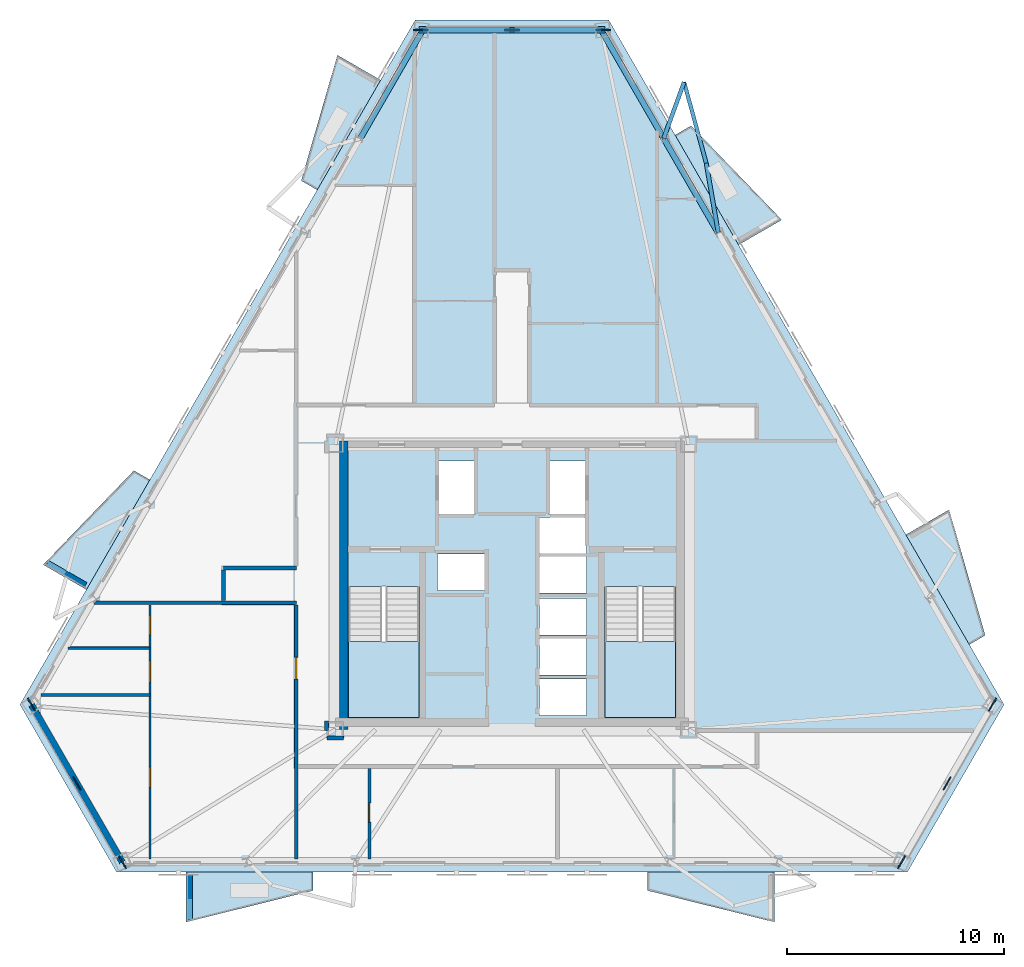
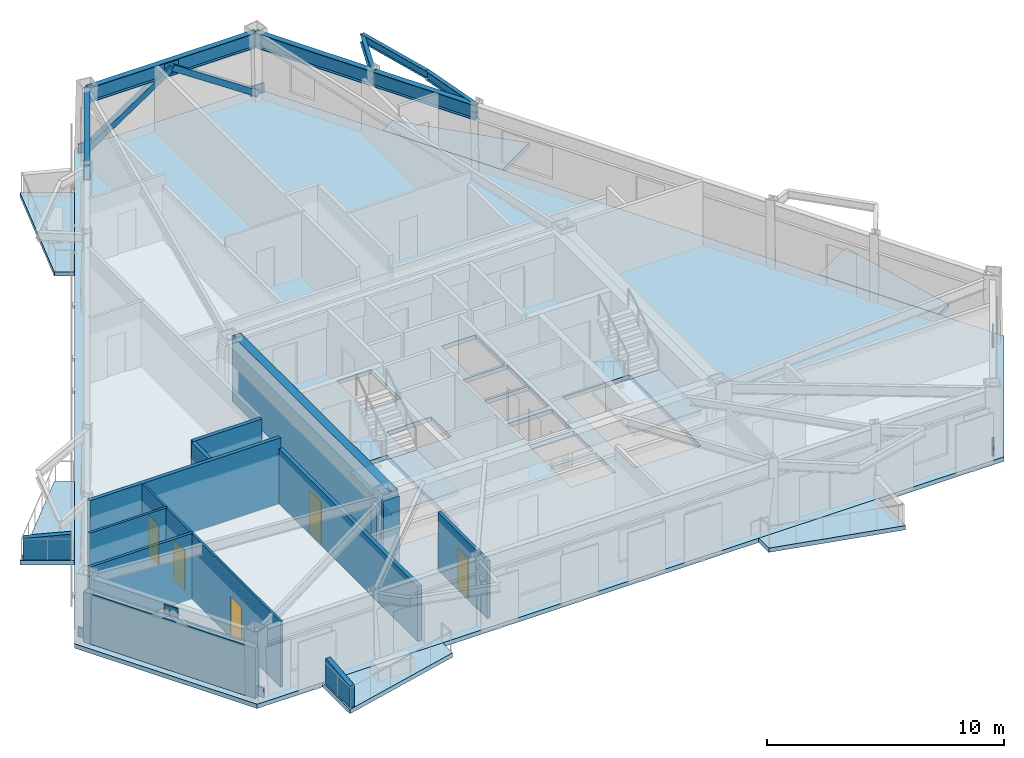
# One storey, part 2 of 9: 14 walls, 9 plates, 9 slabs, 7 beams, 5 doors, 2 members, 5 openings, 2 elements without a shape of their own.
"""IFC4 building model written with IfcOpenShell, lengths in metres."""

import ifcopenshell
import ifcopenshell.guid

model = None  # the IFC model being written
_history = None  # IfcOwnerHistory: only IFC2X3 demands one
_inside = {}  # id of a spatial element -> (the spatial element, [elements in it])
_under = {}  # id of a project, library or spatial element -> (it, [spatial elements below it])
_declared = {}  # id of a project -> (the project, [libraries it declares])
_typed = {}  # id of a type object -> (the type object, [elements of that type])
_made_of = {}  # id of a material, layer set ... -> (it, [elements and type objects made of it])


def new_model(schema):
    """Start an empty IFC model of exactly this schema.

    Asked for "IFC4X3", IfcOpenShell would pick the latest addendum, in which some entities
    have other attributes; the version numbers below select the first issue.
    IFC2X3 requires an IfcOwnerHistory on every rooted entity: one is made here for all.
    """
    global model, _history
    if schema == "IFC4X3":
        model = ifcopenshell.file(schema_version=(4, 3, 0, 0))
    else:
        model = ifcopenshell.file(schema=schema)
    _inside.clear()
    _under.clear()
    _declared.clear()
    _typed.clear()
    _made_of.clear()
    _history = None
    if model.schema == "IFC2X3":
        org = make("IfcOrganization", Name="unknown")
        user = make(
            "IfcPersonAndOrganization",
            ThePerson=make("IfcPerson", FamilyName="unknown"),
            TheOrganization=org,
        )
        app = make(
            "IfcApplication",
            ApplicationDeveloper=org,
            Version="unknown",
            ApplicationFullName="unknown",
            ApplicationIdentifier="unknown",
        )
        _history = make(
            "IfcOwnerHistory",
            OwningUser=user,
            OwningApplication=app,
            ChangeAction="ADDED",
            CreationDate=0,
        )
    return model


def make(cls, **values):
    """One entity of the class cls with the attributes given. An attribute that is None is left unset."""
    return model.create_entity(
        cls, **{name: value for name, value in values.items() if value is not None}
    )


def rooted(cls, **values):
    """An entity with a GlobalId (a new one), such as an element, a storey or a relation."""
    return make(cls, GlobalId=ifcopenshell.guid.new(), OwnerHistory=_history, **values)


def si_unit(unit_type, name, prefix=None):
    """IfcSIUnit, for example si_unit("LENGTHUNIT", "METRE", prefix="MILLI")."""
    return make("IfcSIUnit", UnitType=unit_type, Prefix=prefix, Name=name)


def assignment(units):
    """IfcUnitAssignment: the units of a project."""
    return None if units is None else make("IfcUnitAssignment", Units=units)


def point(xyz):
    """IfcCartesianPoint."""
    return None if xyz is None else make("IfcCartesianPoint", Coordinates=xyz)


def direction(xyz):
    """IfcDirection."""
    return None if xyz is None else make("IfcDirection", DirectionRatios=xyz)


def frame(location, z_axis=None, x_axis=None):
    """IfcAxis2Placement3D, a coordinate frame: its origin and axes. An axis left out is left unset."""
    return make(
        "IfcAxis2Placement3D",
        Location=point(location),
        Axis=direction(z_axis),
        RefDirection=direction(x_axis),
    )


def frame_2d(location, x_axis=None):
    """IfcAxis2Placement2D, a coordinate frame in the plane: its origin and x axis."""
    return make(
        "IfcAxis2Placement2D", Location=point(location), RefDirection=direction(x_axis)
    )


def origin():
    """The frame at (0, 0, 0) with its axes left unset."""
    return frame((0.0, 0.0, 0.0))


def origin_2d():
    """The frame at (0, 0) in the plane with its x axis left unset."""
    return frame_2d((0.0, 0.0))


def place(relative_to, where):
    """IfcLocalPlacement: puts the frame where relative to a parent placement (None: the world)."""
    return make(
        "IfcLocalPlacement", PlacementRelTo=relative_to, RelativePlacement=where
    )


def context(
    kind, dimensions, precision=None, world=None, true_north=None, identifier=None
):
    """IfcGeometricRepresentationContext, for example the 3D "Model" context."""
    return make(
        "IfcGeometricRepresentationContext",
        ContextIdentifier=identifier,
        ContextType=kind,
        CoordinateSpaceDimension=dimensions,
        Precision=precision,
        WorldCoordinateSystem=world,
        TrueNorth=true_north,
    )


def subcontext(parent, identifier, kind, view, scale=None):
    """IfcGeometricRepresentationSubContext, for example "Body" below "Model"."""
    return make(
        "IfcGeometricRepresentationSubContext",
        ContextIdentifier=identifier,
        ContextType=kind,
        ParentContext=parent,
        TargetScale=scale,
        TargetView=view,
    )


def project(units=None, contexts=None):
    """IfcProject with its units and contexts."""
    return rooted(
        "IfcProject",
        Name="project",
        RepresentationContexts=contexts,
        UnitsInContext=assignment(units),
    )


def spatial(cls, under=None, at=None, **own):
    """A site, building, storey or space (cls), placed at a placement, below another one or the project."""
    s = rooted(cls, ObjectPlacement=at, **own)
    if under is not None:
        _under.setdefault(under.id(), (under, []))[1].append(s)
    return s


def polyline(points):
    """IfcPolyline through the points."""
    return make("IfcPolyline", Points=[point(p) for p in points])


def profile(cls, at=None, kind="AREA", **sizes):
    """A parametric profile (cls). Its sizes go by their IFC names, for example OverallWidth=200.0."""
    return make(cls, ProfileType=kind, Position=at, **sizes)


def rectangle(**sizes):
    """IfcRectangleProfileDef."""
    return profile("IfcRectangleProfileDef", **sizes)


def hollow_rectangle(**sizes):
    """IfcRectangleHollowProfileDef."""
    return profile("IfcRectangleHollowProfileDef", **sizes)


def i_section(**sizes):
    """IfcIShapeProfileDef."""
    return profile("IfcIShapeProfileDef", **sizes)


def outline(outer, holes=None, kind="AREA"):
    """IfcArbitraryClosedProfileDef: a profile drawn as a closed curve; with holes, ...WithVoids."""
    if holes is None:
        return make("IfcArbitraryClosedProfileDef", ProfileType=kind, OuterCurve=outer)
    return make(
        "IfcArbitraryProfileDefWithVoids",
        ProfileType=kind,
        OuterCurve=outer,
        InnerCurves=holes,
    )


def extrude(swept, where, along, depth):
    """IfcExtrudedAreaSolid: the profile swept, set in the frame where, extruded along a direction by depth."""
    return make(
        "IfcExtrudedAreaSolid",
        SweptArea=swept,
        Position=where,
        ExtrudedDirection=direction(along),
        Depth=depth,
    )


def shape(context_of_items, identifier, shape_type, items):
    """IfcShapeRepresentation: the items that make up one representation, for example the "Body"."""
    return make(
        "IfcShapeRepresentation",
        ContextOfItems=context_of_items,
        RepresentationIdentifier=identifier,
        RepresentationType=shape_type,
        Items=items,
    )


def material(Name=None, Category=None):
    """IfcMaterial."""
    return make("IfcMaterial", Name=Name, Category=Category)


def layer(
    of_material, thickness, ventilated=None, Name=None, Category=None, Priority=None
):
    """IfcMaterialLayer: one layer of a wall or slab, of a material (None: an air gap)."""
    return make(
        "IfcMaterialLayer",
        Material=of_material,
        LayerThickness=thickness,
        IsVentilated=ventilated,
        Name=Name,
        Category=Category,
        Priority=Priority,
    )


def layer_set(layers, Name=None):
    """IfcMaterialLayerSet."""
    return make("IfcMaterialLayerSet", MaterialLayers=layers, LayerSetName=Name)


def material_profile(
    of_material, cross_section, Name=None, Category=None, Priority=None
):
    """IfcMaterialProfile: a cross section and its material."""
    return make(
        "IfcMaterialProfile",
        Name=Name,
        Material=of_material,
        Profile=cross_section,
        Priority=Priority,
        Category=Category,
    )


def profile_set(profiles, Name=None, composite=None):
    """IfcMaterialProfileSet."""
    return make(
        "IfcMaterialProfileSet",
        Name=Name,
        MaterialProfiles=profiles,
        CompositeProfile=composite,
    )


def made_of(thing, what):
    """Note that an element or type object is made of a material, layer set ...; save() writes the relation."""
    if what is not None:
        _made_of.setdefault(what.id(), (what, []))[1].append(thing)
    return thing


def type_object(cls, material=None, **own):
    """A type object (cls), such as IfcWallType, which elements share."""
    return made_of(rooted(cls, **own), material)


def element(
    cls,
    number,
    at=None,
    inside=None,
    cuts=None,
    type_object=None,
    material=None,
    context=None,
    identifier="Body",
    shape_type=None,
    held_by="IfcProductDefinitionShape",
    body=None,
    shapes=None,
    **own,
):
    """One element of the class cls, such as IfcWall. Its Tag is "e" and its number.

    at: its placement. inside: the storey or other place that contains it. cuts: it is an
    opening in that element (IfcRelVoidsElement). A single representation is given by context,
    identifier, shape_type and body (its items); several are given by shapes. held_by: the class
    of the entity that holds the representations. save() writes the other relations.
    """
    e = rooted(cls, Tag="e%d" % number, ObjectPlacement=at, **own)
    if body is not None:
        shapes = [shape(context, identifier, shape_type, body)]
    if shapes is not None:
        e.Representation = make(held_by, Representations=shapes)
    if inside is not None:
        _inside.setdefault(inside.id(), (inside, []))[1].append(e)
    if cuts is not None:
        rooted(
            "IfcRelVoidsElement", RelatingBuildingElement=cuts, RelatedOpeningElement=e
        )
    if type_object is not None:
        _typed.setdefault(type_object.id(), (type_object, []))[1].append(e)
    return made_of(e, material)


def fill(opening, filler):
    """IfcRelFillsElement: the door or window that sits in an opening."""
    return rooted(
        "IfcRelFillsElement",
        RelatingOpeningElement=opening,
        RelatedBuildingElement=filler,
    )


def aggregate(whole, parts):
    """IfcRelAggregates: a whole, such as a stair, and the parts it consists of."""
    return rooted("IfcRelAggregates", RelatingObject=whole, RelatedObjects=parts)


def save(model, path):
    """Write the relations noted so far, then the file.

    IfcRelAggregates (storeys below a building ...), IfcRelContainedInSpatialStructure (elements
    in a storey), IfcRelDefinesByType, IfcRelAssociatesMaterial and IfcRelDeclares: one each for
    every whole, place, type object, material and project.
    """
    for whole, parts in _under.values():
        aggregate(whole, parts)
    for where, things in _inside.values():
        rooted(
            "IfcRelContainedInSpatialStructure",
            RelatedElements=things,
            RelatingStructure=where,
        )
    for kind, things in _typed.values():
        rooted("IfcRelDefinesByType", RelatedObjects=things, RelatingType=kind)
    for what, things in _made_of.values():
        rooted("IfcRelAssociatesMaterial", RelatedObjects=things, RelatingMaterial=what)
    for by, libraries in _declared.values():
        rooted("IfcRelDeclares", RelatingContext=by, RelatedDefinitions=libraries)
    model.write(path)


model = new_model("IFC4")

# Units and contexts
model_context = context("Model", 3, precision=1e-05, world=origin(), true_north=direction((0.0, 1.0)))
body_context = subcontext(model_context, "Body", "Model", "MODEL_VIEW")
ifc_project = project(units=[si_unit("LENGTHUNIT", "METRE"), si_unit("AREAUNIT", "SQUARE_METRE"), si_unit("VOLUMEUNIT", "CUBIC_METRE"), si_unit("PLANEANGLEUNIT", "RADIAN"), si_unit("MASSUNIT", "GRAM", prefix="KILO")], contexts=[model_context])

# Site, building, storey
site_placement = place(None, origin())
site = spatial("IfcSite", under=ifc_project, at=site_placement, CompositionType="ELEMENT")
building_placement = place(site_placement, origin())
building = spatial("IfcBuilding", under=site, at=building_placement, Name="Oramaril Tower", CompositionType="ELEMENT")
storey_placement = place(building_placement, frame((0.0, 0.0, 174.60009765625)))
storey = spatial("IfcBuildingStorey", under=building, at=storey_placement, Name="L46", CompositionType="ELEMENT", Elevation=174.60009765625)

# Beams
ifc_material_1 = material(Name="Steel ASTM A572 Gr 50", Category="steel")
ifc_material_profile_1 = material_profile(ifc_material_1, i_section(OverallWidth=0.19091796875, OverallDepth=0.45703125, WebThickness=0.009033203125, FlangeThickness=0.014404296875, at=origin_2d()), Name="W18X50")
ifc_profile_set_1 = profile_set([ifc_material_profile_1], Name="Steel ASTM A572 Gr 50")
beam_type_1 = type_object("IfcBeamType", Name="BT-BB1", PredefinedType="BEAM", material=ifc_profile_set_1)
beam_1_placement = place(storey_placement, frame((47.01513671875, 33.905517578125, 3.1513671875), z_axis=(-0.170224706801, 0.985405271548, 0.0), x_axis=(-0.985405271548, -0.170224706801, 0.0)))
element("IfcBeam", 1, at=beam_1_placement, inside=storey, type_object=beam_type_1, Name="L46 Balcony Column-Framed Cantilever 04.1", PredefinedType="BEAM", context=body_context, shape_type="SweptSolid", body=[
    extrude(i_section(OverallWidth=0.19091796875, OverallDepth=0.45703125, WebThickness=0.009033203125, FlangeThickness=0.014404296875, at=origin_2d()), origin(), (0.0, 0.0, 1.0), 3.26708984375),
])
beam_2_placement = place(storey_placement, frame((44.495849609375, 38.269287109375, 3.1513671875), z_axis=(0.341358605617, 0.939933137181, 0.0), x_axis=(-0.939933137181, 0.341358605617, 0.0)))
element("IfcBeam", 2, at=beam_2_placement, inside=storey, type_object=beam_type_1, Name="L46 Balcony Column-Framed Cantilever 04.2", PredefinedType="BEAM", context=body_context, shape_type="SweptSolid", body=[
    extrude(i_section(OverallWidth=0.19091796875, OverallDepth=0.45703125, WebThickness=0.009033203125, FlangeThickness=0.014404296875, at=origin_2d()), origin(), (0.0, 0.0, 1.0), 2.75341796875),
])
ifc_material_2 = material(Name="Steel ASTM A572 Gr 50", Category="steel")
ifc_material_profile_2 = material_profile(ifc_material_2, i_section(OverallWidth=0.177978515625, OverallDepth=0.404052734375, WebThickness=0.007568359375, FlangeThickness=0.010986328125, at=origin_2d()), Name="W16X36")
ifc_profile_set_2 = profile_set([ifc_material_profile_2], Name="Steel ASTM A572 Gr 50")
beam_type_2 = type_object("IfcBeamType", Name="BT-SB1", PredefinedType="BEAM", material=ifc_profile_set_2)
beam_3_placement = place(storey_placement, frame((46.458984375, 37.125, 3.177978515625), z_axis=(-0.264382243015, 0.964417974521, 0.0), x_axis=(-0.964417974521, -0.264382243015, 0.0)))
element("IfcBeam", 3, at=beam_3_placement, inside=storey, type_object=beam_type_2, Name="L46 Balcony Edge Tie Beam 04", PredefinedType="BEAM", context=body_context, shape_type="SweptSolid", body=[
    extrude(i_section(OverallWidth=0.177978515625, OverallDepth=0.404052734375, WebThickness=0.007568359375, FlangeThickness=0.010986328125, at=origin_2d()), origin(), (0.0, 0.0, 1.0), 3.8701171875),
])
ifc_material_3 = material(Name="Steel ASTM A572 Gr 50", Category="steel")
ifc_material_profile_3 = material_profile(ifc_material_3, i_section(OverallWidth=0.26708984375, OverallDepth=0.77001953125, WebThickness=0.015625, FlangeThickness=0.025390625, at=origin_2d()), Name="W30X132")
ifc_profile_set_3 = profile_set([ifc_material_profile_3], Name="Steel ASTM A572 Gr 50")
beam_type_3 = type_object("IfcBeamType", Name="BT-SP3", PredefinedType="SPANDREL", material=ifc_profile_set_3)
beam_4_placement = place(storey_placement, frame((47.01513671875, 33.905517578125, 2.994873046875), z_axis=(-0.499979696703, 0.866037125581, 0.0), x_axis=(-0.866037125581, -0.499979696703, 0.0)))
element("IfcBeam", 4, at=beam_4_placement, inside=storey, type_object=beam_type_3, Name="L46 Perimeter Spandrel 11", PredefinedType="SPANDREL", context=body_context, shape_type="SweptSolid", body=[
    extrude(i_section(OverallWidth=0.26708984375, OverallDepth=0.77001953125, WebThickness=0.015625, FlangeThickness=0.025390625, at=origin_2d()), origin(), (0.0, 0.0, 1.0), 5.038818359375),
])
beam_5_placement = place(storey_placement, frame((44.495849609375, 38.269287109375, 2.994873046875), z_axis=(-0.499996461177, 0.866027446915, 0.0), x_axis=(-0.866027446915, -0.499996461177, 0.0)))
element("IfcBeam", 5, at=beam_5_placement, inside=storey, type_object=beam_type_3, Name="L46 Perimeter Spandrel 12", PredefinedType="SPANDREL", context=body_context, shape_type="SweptSolid", body=[
    extrude(i_section(OverallWidth=0.26708984375, OverallDepth=0.77001953125, WebThickness=0.015625, FlangeThickness=0.025390625, at=origin_2d()), origin(), (0.0, 0.0, 1.0), 5.7587890625),
])
beam_6_placement = place(storey_placement, frame((41.616455078125, 43.256591796875, 2.994873046875), z_axis=(-1.0, 0.0, 0.0), x_axis=(0.0, -1.0, 0.0)))
element("IfcBeam", 6, at=beam_6_placement, inside=storey, type_object=beam_type_3, Name="L46 Perimeter Spandrel 13", PredefinedType="SPANDREL", context=body_context, shape_type="SweptSolid", body=[
    extrude(i_section(OverallWidth=0.26708984375, OverallDepth=0.77001953125, WebThickness=0.015625, FlangeThickness=0.025390625, at=origin_2d()), origin(), (0.0, 0.0, 1.0), 8.23291015625),
])
beam_7_placement = place(storey_placement, frame((33.383544921875, 43.256591796875, 2.994873046875), z_axis=(-0.499996461177, -0.866027446915, 0.0), x_axis=(0.866027446915, -0.499996461177, 0.0)))
element("IfcBeam", 7, at=beam_7_placement, inside=storey, type_object=beam_type_3, Name="L46 Perimeter Spandrel 14", PredefinedType="SPANDREL", context=body_context, shape_type="SweptSolid", body=[
    extrude(i_section(OverallWidth=0.26708984375, OverallDepth=0.77001953125, WebThickness=0.015625, FlangeThickness=0.025390625, at=origin_2d()), origin(), (0.0, 0.0, 1.0), 5.7587890625),
])

# Members
ifc_material_4 = material(Name="Steel ASTM A572 Gr 50", Category="steel")
ifc_material_profile_4 = material_profile(ifc_material_4, hollow_rectangle(XDim=0.300048828125, YDim=0.300048828125, WallThickness=0.01611328125, at=origin_2d()), Name="HSS300X300X16")
ifc_profile_set_4 = profile_set([ifc_material_profile_4], Name="Steel ASTM A572 Gr 50")
member_type = type_object("IfcMemberType", Name="MT-KB2", PredefinedType="BRACE", material=ifc_profile_set_4)
for number, where, z_axis, x_axis, name in (
    (8, (41.695068359375, 43.26611328125, 0.179931640625), (-0.83038116505, 0.0, 0.557195765176), (0.0, -1.0, 0.0), "L46 Perimeter Chevron Brace KB-3A"),
    (9, (33.304931640625, 43.26611328125, 0.179931640625), (0.83038116505, 0.0, 0.557195765176), (0.0, 1.0, 0.0), "L46 Perimeter Chevron Brace KB-3B"),
):
    element("IfcMember", number, at=place(storey_placement, frame(where, z_axis=z_axis, x_axis=x_axis)), inside=storey, type_object=member_type, Name=name, PredefinedType="BRACE", context=body_context, shape_type="SweptSolid", body=[
        extrude(hollow_rectangle(XDim=0.300048828125, YDim=0.300048828125, WallThickness=0.01611328125, at=origin_2d()), origin(), (0.0, 0.0, 1.0), 5.052001953125),
    ])

# Plates
ifc_material_5 = material(Name="Steel ASTM A572 Gr 50", Category="steel")
ifc_layer_1 = layer(ifc_material_5, 0.06005859375)
ifc_layer_set_1 = layer_set([ifc_layer_1], Name="PLT-G60")
plate_type = type_object("IfcPlateType", Name="PLT-G60", PredefinedType="USERDEFINED", material=ifc_layer_set_1)
for number, where, z_axis, x_axis, name in (
    (10, (17.437744140625, 8.51708984375, 2.7548828125), (0.0, 0.0, 1.0), (0.499996976998, -0.866027149108, 0.0), "L46 Chevron Brace Gusset Plate BN-1"),
    (11, (15.340087890625, 12.14990234375, 0.099853515625), (0.0, 0.0, 1.0), (0.499996976998, -0.866027149108, 0.0), "L46 Chevron Brace Gusset Plate BN-1"),
    (12, (19.53515625, 4.884033203125, 0.099853515625), (0.0, 0.0, 1.0), (0.499996976998, -0.866027149108, 0.0), "L46 Chevron Brace Gusset Plate BN-1"),
    (13, (57.562255859375, 8.51708984375, 2.7548828125), (0.0, 0.0, 1.0), (0.499996976998, 0.866027149108, 0.0), "L46 Chevron Brace Gusset Plate BN-1"),
    (14, (55.46484375, 4.884033203125, 0.099853515625), (0.0, 0.0, 1.0), (0.499996976998, 0.866027149108, 0.0), "L46 Chevron Brace Gusset Plate BN-1"),
    (15, (59.659912109375, 12.14990234375, 0.099853515625), (0.0, 0.0, 1.0), (0.499996976998, 0.866027149108, 0.0), "L46 Chevron Brace Gusset Plate BN-1"),
    (16, (37.5, 43.26611328125, 2.7548828125), (0.0, 0.0, 1.0), (-1.0, 0.0, 0.0), "L46 Chevron Brace Gusset Plate BN-1"),
    (17, (41.695068359375, 43.26611328125, 0.099853515625), (0.0, 0.0, 1.0), (-1.0, 0.0, 0.0), "L46 Chevron Brace Gusset Plate BN-1"),
    (18, (33.304931640625, 43.26611328125, 0.099853515625), (0.0, 0.0, 1.0), (-1.0, 0.0, 0.0), "L46 Chevron Brace Gusset Plate BN-1"),
):
    element("IfcPlate", number, at=place(storey_placement, frame(where, z_axis=z_axis, x_axis=x_axis)), inside=storey, type_object=plate_type, Name=name, ObjectType="GUSSET", PredefinedType="USERDEFINED", context=body_context, shape_type="SweptSolid", body=[
        extrude(rectangle(XDim=0.679931640625, YDim=0.06005859375, at=origin_2d()), origin(), (0.0, 0.0, 1.0), 0.47998046875),
    ])

# Slabs
ifc_material_6 = material(Name="Concrete C40/50", Category="concrete")
ifc_layer_2 = layer(ifc_material_6, 0.199951171875)
ifc_layer_set_2 = layer_set([ifc_layer_2], Name="SLT-BAL20")
slab_type_1 = type_object("IfcSlabType", Name="SLT-BAL20", PredefinedType="FLOOR", material=ifc_layer_set_2)
slab_1_placement = place(storey_placement, frame((0.0, 0.0, -0.22021484375)))
element("IfcSlab", 19, at=slab_1_placement, inside=storey, type_object=slab_type_1, Name="L46 Cantilevered Balcony Slab L46-BAL-S2", PredefinedType="FLOOR", context=body_context, shape_type="SweptSolid", body=[
    extrude(outline(polyline([(43.75537109375, 4.426025390625), (49.60546875, 4.426025390625), (49.60546875, 2.1240234375), (43.75537109375, 3.573974609375), (43.75537109375, 4.426025390625)])), origin(), (0.0, 0.0, 1.0), 0.22021484375),
])
slab_2_placement = place(storey_placement, frame((0.0, 0.0, -0.22021484375)))
element("IfcSlab", 20, at=slab_2_placement, inside=storey, type_object=slab_type_1, Name="L46 Cantilevered Balcony Slab L46-BAL-NE1", PredefinedType="FLOOR", context=body_context, shape_type="SweptSolid", body=[
    extrude(outline(polyline([(58.58935546875, 14.92041015625), (55.664306640625, 19.986572265625), (57.657958984375, 21.137451171875), (59.3271484375, 15.34619140625), (58.58935546875, 14.92041015625)])), origin(), (0.0, 0.0, 1.0), 0.22021484375),
])
slab_3_placement = place(storey_placement, frame((0.0, 0.0, -0.22021484375)))
element("IfcSlab", 21, at=slab_3_placement, inside=storey, type_object=slab_type_1, Name="L46 Cantilevered Balcony Slab L46-BAL-NW2", PredefinedType="FLOOR", context=body_context, shape_type="SweptSolid", body=[
    extrude(outline(polyline([(20.798095703125, 22.519775390625), (17.873291015625, 17.453369140625), (15.879638671875, 18.6044921875), (20.060302734375, 22.94580078125), (20.798095703125, 22.519775390625)])), origin(), (0.0, 0.0, 1.0), 0.22021484375),
])
ifc_material_7 = material(Name="Concrete C50/60", Category="concrete")
ifc_layer_3 = layer(ifc_material_7, 0.219970703125)
ifc_layer_set_3 = layer_set([ifc_layer_3], Name="SLT-FLR22")
slab_type_2 = type_object("IfcSlabType", Name="SLT-FLR22", PredefinedType="FLOOR", material=ifc_layer_set_3)
slab_4_placement = place(storey_placement, frame((0.0, 0.0, -0.22021484375)))
element("IfcSlab", 22, at=slab_4_placement, inside=storey, type_object=slab_type_2, Name="L46 Structural Floor Slab", PredefinedType="FLOOR", context=body_context, shape_type="SweptSolid", body=[
    extrude(outline(polyline([(14.80908203125, 12.14990234375), (19.26953125, 4.424072265625), (55.73046875, 4.424072265625), (60.19091796875, 12.14990234375), (41.960693359375, 43.72607421875), (33.039306640625, 43.72607421875), (14.80908203125, 12.14990234375)]), holes=[polyline([(29.949951171875, 17.58935546875), (29.949951171875, 11.550048828125), (33.219970703125, 11.550048828125), (33.219970703125, 17.58935546875), (29.949951171875, 17.58935546875)]), polyline([(41.780029296875, 17.58935546875), (41.780029296875, 11.550048828125), (45.050048828125, 11.550048828125), (45.050048828125, 17.58935546875), (41.780029296875, 17.58935546875)]), polyline([(34.110107421875, 20.909912109375), (35.7900390625, 20.909912109375), (35.7900390625, 23.389892578125), (34.110107421875, 23.389892578125), (34.110107421875, 20.909912109375)]), polyline([(39.2099609375, 20.909912109375), (40.889892578125, 20.909912109375), (40.889892578125, 23.389892578125), (39.2099609375, 23.389892578125), (39.2099609375, 20.909912109375)]), polyline([(38.760009765625, 11.659912109375), (40.93994140625, 11.659912109375), (40.93994140625, 13.340087890625), (38.760009765625, 13.340087890625), (38.760009765625, 11.659912109375)]), polyline([(38.760009765625, 13.510009765625), (40.93994140625, 13.510009765625), (40.93994140625, 15.18994140625), (38.760009765625, 15.18994140625), (38.760009765625, 13.510009765625)]), polyline([(38.760009765625, 15.360107421875), (40.93994140625, 15.360107421875), (40.93994140625, 17.0400390625), (38.760009765625, 17.0400390625), (38.760009765625, 15.360107421875)]), polyline([(34.06005859375, 17.409912109375), (36.239990234375, 17.409912109375), (36.239990234375, 19.090087890625), (34.06005859375, 19.090087890625), (34.06005859375, 17.409912109375)]), polyline([(38.760009765625, 17.31005859375), (40.93994140625, 17.31005859375), (40.93994140625, 18.989990234375), (38.760009765625, 18.989990234375), (38.760009765625, 17.31005859375)]), polyline([(38.760009765625, 19.110107421875), (40.93994140625, 19.110107421875), (40.93994140625, 20.7900390625), (38.760009765625, 20.7900390625), (38.760009765625, 19.110107421875)])]), origin(), (0.0, 0.0, 1.0), 0.22021484375),
])

# Stair, slab
ifc_material_8 = material(Name="Concrete C50/60", Category="concrete")
stair_type = type_object("IfcStairType", Name="STT-DG-3600", PredefinedType="HALF_TURN_STAIR", material=ifc_material_8)
stair_1_placement = place(storey_placement, origin())
stair_1 = element("IfcStair", 23, at=stair_1_placement, inside=storey, type_object=stair_type, Name="L46 Protected PFP Exit Stair ST-1", PredefinedType="HALF_TURN_STAIR")
ifc_material_9 = material(Name="Concrete C50/60", Category="concrete")
ifc_layer_4 = layer(ifc_material_9, 0.199951171875)
ifc_layer_set_4 = layer_set([ifc_layer_4], Name="SLT-LND20")
slab_type_3 = type_object("IfcSlabType", Name="SLT-LND20", PredefinedType="LANDING", material=ifc_layer_set_4)
slab_5_placement = place(storey_placement, frame((0.0, 0.0, 1.599853515625)))
slab_5 = element("IfcSlab", 24, at=slab_5_placement, type_object=slab_type_3, Name="ST-1 landing 1", PredefinedType="LANDING", context=body_context, shape_type="SweptSolid", body=[
    extrude(outline(polyline([(29.949951171875, 15.070068359375), (29.949951171875, 11.550048828125), (33.219970703125, 11.550048828125), (33.219970703125, 15.070068359375), (29.949951171875, 15.070068359375)])), origin(), (0.0, 0.0, 1.0), 0.199951171875),
])
aggregate(stair_1, [slab_5])

stair_2_placement = place(storey_placement, origin())
stair_2 = element("IfcStair", 25, at=stair_2_placement, inside=storey, type_object=stair_type, Name="L46 Protected PFP Exit Stair ST-2", PredefinedType="HALF_TURN_STAIR")
slab_6_placement = place(storey_placement, frame((0.0, 0.0, 1.599853515625)))
slab_6 = element("IfcSlab", 26, at=slab_6_placement, type_object=slab_type_3, Name="ST-2 landing 1", PredefinedType="LANDING", context=body_context, shape_type="SweptSolid", body=[
    extrude(outline(polyline([(41.780029296875, 15.070068359375), (41.780029296875, 11.550048828125), (45.050048828125, 11.550048828125), (45.050048828125, 15.070068359375), (41.780029296875, 15.070068359375)])), origin(), (0.0, 0.0, 1.0), 0.199951171875),
])
aggregate(stair_2, [slab_6])

# Slabs
ifc_material_10 = material(Name="Concrete C40/50", Category="concrete")
ifc_layer_5 = layer(ifc_material_10, 0.18994140625)
ifc_layer_set_5 = layer_set([ifc_layer_5], Name="SLT-PLN19")
slab_type_4 = type_object("IfcSlabType", Name="SLT-PLN19", PredefinedType="FLOOR", material=ifc_layer_set_5)
slab_7_placement = place(storey_placement, frame((0.0, 0.0, -0.22021484375)))
element("IfcSlab", 27, at=slab_7_placement, inside=storey, type_object=slab_type_4, Name="L46 Tree Planter Balcony Slab L46-BAL-S1", PredefinedType="FLOOR", context=body_context, shape_type="SweptSolid", body=[
    extrude(outline(polyline([(22.469482421875, 4.426025390625), (28.319580078125, 4.426025390625), (28.319580078125, 3.573974609375), (22.469482421875, 2.1240234375), (22.469482421875, 4.426025390625)])), origin(), (0.0, 0.0, 1.0), 0.22021484375),
])
slab_8_placement = place(storey_placement, frame((0.0, 0.0, -0.22021484375)))
element("IfcSlab", 28, at=slab_8_placement, inside=storey, type_object=slab_type_4, Name="L46 Tree Planter Balcony Slab L46-BAL-NE2", PredefinedType="FLOOR", context=body_context, shape_type="SweptSolid", body=[
    extrude(outline(polyline([(47.9462890625, 33.354248046875), (45.021484375, 38.420654296875), (45.75927734375, 38.8466796875), (49.93994140625, 34.50537109375), (47.9462890625, 33.354248046875)])), origin(), (0.0, 0.0, 1.0), 0.22021484375),
])
slab_9_placement = place(storey_placement, frame((0.0, 0.0, -0.22021484375)))
element("IfcSlab", 29, at=slab_9_placement, inside=storey, type_object=slab_type_4, Name="L46 Tree Planter Balcony Slab L46-BAL-NW1", PredefinedType="FLOOR", context=body_context, shape_type="SweptSolid", body=[
    extrude(outline(polyline([(31.441162109375, 40.95361328125), (28.51611328125, 35.887451171875), (27.7783203125, 36.3134765625), (29.447509765625, 42.104736328125), (31.441162109375, 40.95361328125)])), origin(), (0.0, 0.0, 1.0), 0.22021484375),
])

# Walls
ifc_material_11 = material(Name="Warm Cream Limestone", Category="masonry")
ifc_layer_6 = layer(ifc_material_11, 0.2900390625)
ifc_layer_set_6 = layer_set([ifc_layer_6], Name="WT-EXT29")
wall_type_1 = type_object("IfcWallType", Name="WT-EXT29", PredefinedType="SOLIDWALL", material=ifc_layer_set_6)
wall_1_placement = place(storey_placement, frame((15.340087890625, 12.14990234375, 0.0), z_axis=(0.0, 0.0, 1.0), x_axis=(0.500010445942, -0.866019372733, 0.0)))
element("IfcWall", 30, at=wall_1_placement, inside=storey, type_object=wall_type_1, Name="L46 Tower Limestone Facade Wall 1M", PredefinedType="SOLIDWALL", context=body_context, shape_type="SweptSolid", body=[
    extrude(rectangle(XDim=8.389892578125, YDim=0.2900390625, at=frame_2d((4.19482421875, 0.0))), origin(), (0.0, 0.0, 1.0), 2.599853515625),
])
ifc_material_12 = material(Name="Concrete C40/50", Category="concrete")
ifc_layer_7 = layer(ifc_material_12, 0.22998046875)
ifc_layer_set_7 = layer_set([ifc_layer_7], Name="WT-PRP23")
wall_type_2 = type_object("IfcWallType", Name="WT-PRP23", PredefinedType="PARAPET", material=ifc_layer_set_7)
for number, where, z_axis, x_axis, name in (
    (31, (22.649658203125, 4.285888671875, 0.0), (0.0, 0.0, 1.0), (0.0, -1.0, 0.0), "L46 Trapezoidal Balcony Frame Cheek L46-BAL-S1-L"),
    (32, (17.842041015625, 17.67919921875, 0.0), (0.0, 0.0, 1.0), (-0.866042246008, 0.499970827278, 0.0), "L46 Trapezoidal Balcony Frame Cheek L46-BAL-NW2-R"),
):
    element("IfcWall", number, at=place(storey_placement, frame(where, z_axis=z_axis, x_axis=x_axis)), inside=storey, type_object=wall_type_2, Name=name, PredefinedType="PARAPET", context=body_context, shape_type="SweptSolid", body=[
        extrude(outline(polyline([(0.0, 0.0), (2.0419921875, 0.0), (2.0419921875, 1.099853515625), (0.0, 1.31982421875), (0.0, 0.0)])), frame((0.0, 0.114990234375, 0.0), z_axis=(0.0, -1.0, 0.0), x_axis=(1.0, 0.0, 0.0)), (0.0, 0.0, 1.0), 0.22998046875),
    ])

# Wall, openings, doors
ifc_material_13 = material(Name="Acoustic Gypsum Board Partition")
ifc_layer_8 = layer(ifc_material_13, 0.10009765625)
ifc_layer_set_8 = layer_set([ifc_layer_8], Name="WT-PT10")
wall_type_3 = type_object("IfcWallType", Name="WT-PT10", PredefinedType="PARTITIONING", material=ifc_layer_set_8)
wall_2_placement = place(storey_placement, frame((20.81005859375, 5.032958984375, 0.0), z_axis=(0.0, 0.0, 1.0), x_axis=(0.0, 1.0, 0.0)))
wall_2 = element("IfcWall", 33, at=wall_2_placement, inside=storey, type_object=wall_type_3, Name="L46 Interior Partition PT-10", PredefinedType="PARTITIONING", context=body_context, shape_type="SweptSolid", body=[
    extrude(rectangle(XDim=11.72314453125, YDim=0.10009765625, at=frame_2d((5.861572265625, 0.0))), origin(), (0.0, 0.0, 1.0), 3.3798828125),
])
opening_1_placement = place(wall_2_placement, frame((3.30859375, 0.0, 0.0)))
opening_1 = element("IfcOpeningElement", 34, at=opening_1_placement, cuts=wall_2, Name="Opening D-L46-10", PredefinedType="OPENING", context=body_context, shape_type="SweptSolid", body=[
    extrude(rectangle(XDim=0.919921875, YDim=2.1201171875, at=frame_2d((0.4599609375, 1.06005859375))), frame((0.0, 0.050048828125, 0.0), z_axis=(0.0, -1.0, 0.0), x_axis=(1.0, 0.0, 0.0)), (0.0, 0.0, 1.0), 0.10009765625),
])
opening_2_placement = place(wall_2_placement, frame((8.171875, 0.0, 0.0)))
opening_2 = element("IfcOpeningElement", 35, at=opening_2_placement, cuts=wall_2, Name="Opening D-L46-11", PredefinedType="OPENING", context=body_context, shape_type="SweptSolid", body=[
    extrude(rectangle(XDim=0.949951171875, YDim=2.10009765625, at=frame_2d((0.47509765625, 1.050048828125))), frame((0.0, 0.050048828125, 0.0), z_axis=(0.0, -1.0, 0.0), x_axis=(1.0, 0.0, 0.0)), (0.0, 0.0, 1.0), 0.10009765625),
])
opening_3_placement = place(wall_2_placement, frame((10.347412109375, 0.0, 0.0)))
opening_3 = element("IfcOpeningElement", 36, at=opening_3_placement, cuts=wall_2, Name="Opening D-L46-12", PredefinedType="OPENING", context=body_context, shape_type="SweptSolid", body=[
    extrude(rectangle(XDim=0.8798828125, YDim=2.080078125, at=frame_2d((0.43994140625, 1.0400390625))), frame((0.0, 0.050048828125, 0.0), z_axis=(0.0, -1.0, 0.0), x_axis=(1.0, 0.0, 0.0)), (0.0, 0.0, 1.0), 0.10009765625),
])
ifc_material_14 = material(Name="FSC Brazilian Freijo Hardwood", Category="wood")
door_type_1 = type_object("IfcDoorType", Name="DT-BATH", OperationType="NOTDEFINED", PredefinedType="DOOR", material=ifc_material_14)
door_1_placement = place(opening_3_placement, origin())
door_1 = element("IfcDoor", 37, at=door_1_placement, inside=storey, type_object=door_type_1, Name="L46 Flat L46-U3 Bathroom Door D-L46-12", OperationType="SINGLE_SWING_LEFT", OverallHeight=2.080078125, OverallWidth=0.8798828125, PredefinedType="DOOR", context=body_context, shape_type="SweptSolid", body=[
    extrude(rectangle(XDim=0.8798828125, YDim=2.080078125, at=frame_2d((0.43994140625, 1.0400390625))), frame((0.0, 0.02490234375, 0.0), z_axis=(0.0, -1.0, 0.0), x_axis=(1.0, 0.0, 0.0)), (0.0, 0.0, 1.0), 0.050048828125),
])
fill(opening_3, door_1)
ifc_material_15 = material(Name="FSC Brazilian Freijo Hardwood", Category="wood")
door_type_2 = type_object("IfcDoorType", Name="DT-BED", OperationType="NOTDEFINED", PredefinedType="DOOR", material=ifc_material_15)
door_2_placement = place(opening_1_placement, origin())
door_2 = element("IfcDoor", 38, at=door_2_placement, inside=storey, type_object=door_type_2, Name="L46 Flat L46-U3 Master Bedroom Door D-L46-10", OperationType="SINGLE_SWING_LEFT", OverallHeight=2.1201171875, OverallWidth=0.919921875, PredefinedType="DOOR", context=body_context, shape_type="SweptSolid", body=[
    extrude(rectangle(XDim=0.919921875, YDim=2.1201171875, at=frame_2d((0.4599609375, 1.06005859375))), frame((0.0, 0.02490234375, 0.0), z_axis=(0.0, -1.0, 0.0), x_axis=(1.0, 0.0, 0.0)), (0.0, 0.0, 1.0), 0.050048828125),
])
fill(opening_1, door_2)
ifc_material_16 = material(Name="FSC Brazilian Freijo Hardwood", Category="wood")
door_type_3 = type_object("IfcDoorType", Name="DT-STDY", OperationType="NOTDEFINED", PredefinedType="DOOR", material=ifc_material_16)
door_3_placement = place(opening_2_placement, origin())
door_3 = element("IfcDoor", 39, at=door_3_placement, inside=storey, type_object=door_type_3, Name="L46 Flat L46-U3 Kitchen Door D-L46-11", OperationType="SINGLE_SWING_RIGHT", OverallHeight=2.10009765625, OverallWidth=0.949951171875, PredefinedType="DOOR", context=body_context, shape_type="SweptSolid", body=[
    extrude(rectangle(XDim=0.949951171875, YDim=2.10009765625, at=frame_2d((0.47509765625, 1.050048828125))), frame((0.0, 0.02490234375, 0.0), z_axis=(0.0, -1.0, 0.0), x_axis=(1.0, 0.0, 0.0)), (0.0, 0.0, 1.0), 0.050048828125),
])
fill(opening_2, door_3)

# Walls
ifc_material_17 = material(Name="Acoustic Gypsum Board Partition")
ifc_layer_9 = layer(ifc_material_17, 0.1201171875)
ifc_layer_set_9 = layer_set([ifc_layer_9], Name="WT-PT12")
wall_type_4 = type_object("IfcWallType", Name="WT-PT12", PredefinedType="PARTITIONING", material=ifc_layer_set_9)
wall_3_placement = place(storey_placement, frame((17.01904296875, 14.760009765625, 0.0), z_axis=(0.0, 0.0, 1.0), x_axis=(1.0, 0.0, 0.0)))
element("IfcWall", 40, at=wall_3_placement, inside=storey, type_object=wall_type_4, Name="L46 Interior Partition PT-12", PredefinedType="PARTITIONING", context=body_context, shape_type="SweptSolid", body=[
    extrude(rectangle(XDim=3.79052734375, YDim=0.1201171875, at=frame_2d((1.895263671875, 0.0))), origin(), (0.0, 0.0, 1.0), 3.3798828125),
])
ifc_material_18 = material(Name="Acoustic Gypsum Board Partition")
ifc_layer_10 = layer(ifc_material_18, 0.139892578125)
ifc_layer_set_10 = layer_set([ifc_layer_10], Name="WT-PT14")
wall_type_5 = type_object("IfcWallType", Name="WT-PT14", PredefinedType="PARTITIONING", material=ifc_layer_set_10)
wall_4_placement = place(storey_placement, frame((15.772216796875, 12.60009765625, 0.0), z_axis=(0.0, 0.0, 1.0), x_axis=(1.0, 0.0, 0.0)))
element("IfcWall", 41, at=wall_4_placement, inside=storey, type_object=wall_type_5, Name="L46 Interior Partition PT-14", PredefinedType="PARTITIONING", context=body_context, shape_type="SweptSolid", body=[
    extrude(rectangle(XDim=5.037353515625, YDim=0.139892578125, at=frame_2d((2.5185546875, 0.0))), origin(), (0.0, 0.0, 1.0), 3.3798828125),
])

# Wall, opening, door
wall_5_placement = place(storey_placement, frame((30.919921875, 5.032958984375, 0.0), z_axis=(0.0, 0.0, 1.0), x_axis=(0.0, 1.0, 0.0)))
wall_5 = element("IfcWall", 42, at=wall_5_placement, inside=storey, type_object=wall_type_5, Name="L46 Interior Partition PT-14", PredefinedType="PARTITIONING", context=body_context, shape_type="SweptSolid", body=[
    extrude(rectangle(XDim=4.173095703125, YDim=0.139892578125, at=frame_2d((2.08642578125, 0.0))), origin(), (0.0, 0.0, 1.0), 2.9658203125),
])
opening_4_placement = place(wall_5_placement, frame((1.694091796875, 0.0, 0.0)))
opening_4 = element("IfcOpeningElement", 43, at=opening_4_placement, cuts=wall_5, Name="Opening D-L46-15", PredefinedType="OPENING", context=body_context, shape_type="SweptSolid", body=[
    extrude(rectangle(XDim=0.8798828125, YDim=2.080078125, at=frame_2d((0.43994140625, 1.0400390625))), frame((0.0, 0.06982421875, 0.0), z_axis=(0.0, -1.0, 0.0), x_axis=(1.0, 0.0, 0.0)), (0.0, 0.0, 1.0), 0.139892578125),
])
door_4_placement = place(opening_4_placement, origin())
door_4 = element("IfcDoor", 44, at=door_4_placement, inside=storey, type_object=door_type_1, Name="L46 Flat L46-U1 Bathroom Door D-L46-15", OperationType="SINGLE_SWING_RIGHT", OverallHeight=2.080078125, OverallWidth=0.8798828125, PredefinedType="DOOR", context=body_context, shape_type="SweptSolid", body=[
    extrude(rectangle(XDim=0.8798828125, YDim=2.080078125, at=frame_2d((0.43994140625, 1.0400390625))), frame((0.0, 0.02490234375, 0.0), z_axis=(0.0, -1.0, 0.0), x_axis=(1.0, 0.0, 0.0)), (0.0, 0.0, 1.0), 0.050048828125),
])
fill(opening_4, door_4)

# Walls
ifc_material_19 = material(Name="Autoclaved Cellular Concrete Block", Category="concrete")
ifc_layer_11 = layer(ifc_material_19, 0.179931640625)
ifc_layer_set_11 = layer_set([ifc_layer_11], Name="WT-PT18")
wall_type_6 = type_object("IfcWallType", Name="WT-PT18", PredefinedType="PARTITIONING", material=ifc_layer_set_11)
wall_6_placement = place(storey_placement, frame((28.9599609375, 10.610107421875, 0.0), z_axis=(0.0, 0.0, 1.0), x_axis=(1.0, 0.0, 0.0)))
element("IfcWall", 45, at=wall_6_placement, inside=storey, type_object=wall_type_6, Name="L46 Interior Partition PT-18", PredefinedType="PARTITIONING", context=body_context, shape_type="SweptSolid", body=[
    extrude(rectangle(XDim=0.780029296875, YDim=0.179931640625, at=frame_2d((0.39013671875, 0.0))), origin(), (0.0, 0.0, 1.0), 3.3798828125),
])
wall_7_placement = place(storey_placement, frame((18.225830078125, 16.85009765625, 0.0), z_axis=(0.0, 0.0, 1.0), x_axis=(1.0, 0.0, 0.0)))
element("IfcWall", 46, at=wall_7_placement, inside=storey, type_object=wall_type_6, Name="L46 Interior Partition PT-18", PredefinedType="PARTITIONING", context=body_context, shape_type="SweptSolid", body=[
    extrude(rectangle(XDim=9.32421875, YDim=0.179931640625, at=frame_2d((4.662109375, 0.0))), origin(), (0.0, 0.0, 1.0), 3.3798828125),
])
wall_8_placement = place(storey_placement, frame((24.199951171875, 18.449951171875, 0.0), z_axis=(0.0, 0.0, 1.0), x_axis=(1.0, 0.0, 0.0)))
element("IfcWall", 47, at=wall_8_placement, inside=storey, type_object=wall_type_6, Name="L46 Interior Partition PT-18", PredefinedType="PARTITIONING", context=body_context, shape_type="SweptSolid", body=[
    extrude(rectangle(XDim=3.35009765625, YDim=0.179931640625, at=frame_2d((1.675048828125, 0.0))), origin(), (0.0, 0.0, 1.0), 3.3798828125),
])
wall_9_placement = place(storey_placement, frame((24.199951171875, 16.944091796875, 0.0), z_axis=(0.0, 0.0, 1.0), x_axis=(0.0, 1.0, 0.0)))
element("IfcWall", 48, at=wall_9_placement, inside=storey, type_object=wall_type_6, Name="L46 Interior Partition PT-18", PredefinedType="PARTITIONING", context=body_context, shape_type="SweptSolid", body=[
    extrude(rectangle(XDim=1.411865234375, YDim=0.179931640625, at=frame_2d((0.7060546875, 0.0))), origin(), (0.0, 0.0, 1.0), 3.3798828125),
])

# Wall, opening, door
wall_10_placement = place(storey_placement, frame((27.550048828125, 5.032958984375, 0.0), z_axis=(0.0, 0.0, 1.0), x_axis=(0.0, 1.0, 0.0)))
wall_10 = element("IfcWall", 49, at=wall_10_placement, inside=storey, type_object=wall_type_6, Name="L46 Interior Partition PT-18", PredefinedType="PARTITIONING", context=body_context, shape_type="SweptSolid", body=[
    extrude(rectangle(XDim=11.72314453125, YDim=0.179931640625, at=frame_2d((5.861572265625, 0.0))), origin(), (0.0, 0.0, 1.0), 2.841796875),
])
opening_5_placement = place(wall_10_placement, frame((8.29248046875, 0.0, 0.0)))
opening_5 = element("IfcOpeningElement", 50, at=opening_5_placement, cuts=wall_10, Name="Opening D-L46-13", PredefinedType="OPENING", context=body_context, shape_type="SweptSolid", body=[
    extrude(rectangle(XDim=1.0, YDim=2.179931640625, at=frame_2d((0.5, 1.08984375))), frame((0.0, 0.08984375, 0.0), z_axis=(0.0, -1.0, 0.0), x_axis=(1.0, 0.0, 0.0)), (0.0, 0.0, 1.0), 0.179931640625),
])
ifc_material_20 = material(Name="FSC Brazilian Freijo Hardwood", Category="wood")
door_type_4 = type_object("IfcDoorType", Name="DT-APT", OperationType="NOTDEFINED", PredefinedType="DOOR", material=ifc_material_20)
door_5_placement = place(opening_5_placement, origin())
door_5 = element("IfcDoor", 51, at=door_5_placement, inside=storey, type_object=door_type_4, Name="L46 Flat L46-U3 Penthouse Living and Dining Room Door D-L46-13", OperationType="SINGLE_SWING_RIGHT", OverallHeight=2.179931640625, OverallWidth=1.0, PredefinedType="DOOR", context=body_context, shape_type="SweptSolid", body=[
    extrude(rectangle(XDim=1.0, YDim=2.179931640625, at=frame_2d((0.5, 1.08984375))), frame((0.0, 0.02490234375, 0.0), z_axis=(0.0, -1.0, 0.0), x_axis=(1.0, 0.0, 0.0)), (0.0, 0.0, 1.0), 0.050048828125),
])
fill(opening_5, door_5)

# Walls
wall_11_placement = place(storey_placement, frame((28.949951171875, 10.949951171875, 0.0), z_axis=(0.0, 0.0, 1.0), x_axis=(0.0, 1.0, 0.0)))
element("IfcWall", 52, at=wall_11_placement, inside=storey, type_object=wall_type_6, Name="L46 Interior Partition PT-18", PredefinedType="PARTITIONING", context=body_context, shape_type="SweptSolid", body=[
    extrude(rectangle(XDim=0.445068359375, YDim=0.179931640625, at=frame_2d((0.22265625, 0.0))), origin(), (0.0, 0.0, 1.0), 2.841796875),
])
ifc_material_21 = material(Name="Concrete C50/60", Category="concrete")
ifc_layer_12 = layer(ifc_material_21, 0.39990234375)
ifc_layer_set_12 = layer_set([ifc_layer_12], Name="WT-SH40")
wall_type_7 = type_object("IfcWallType", Name="WT-SH40", PredefinedType="SHEAR", material=ifc_layer_set_12)
wall_12_placement = place(storey_placement, frame((29.739990234375, 11.0, 0.0), z_axis=(0.0, 0.0, 1.0), x_axis=(0.0, 1.0, 0.0)))
element("IfcWall", 53, at=wall_12_placement, inside=storey, type_object=wall_type_7, Name="L46 Core Shear Wall CW-W", PredefinedType="SHEAR", context=body_context, shape_type="SweptSolid", body=[
    extrude(rectangle(XDim=13.300048828125, YDim=0.39990234375, at=frame_2d((6.64990234375, 0.0))), origin(), (0.0, 0.0, 1.0), 3.3798828125),
])

save(model, "model.ifc")
